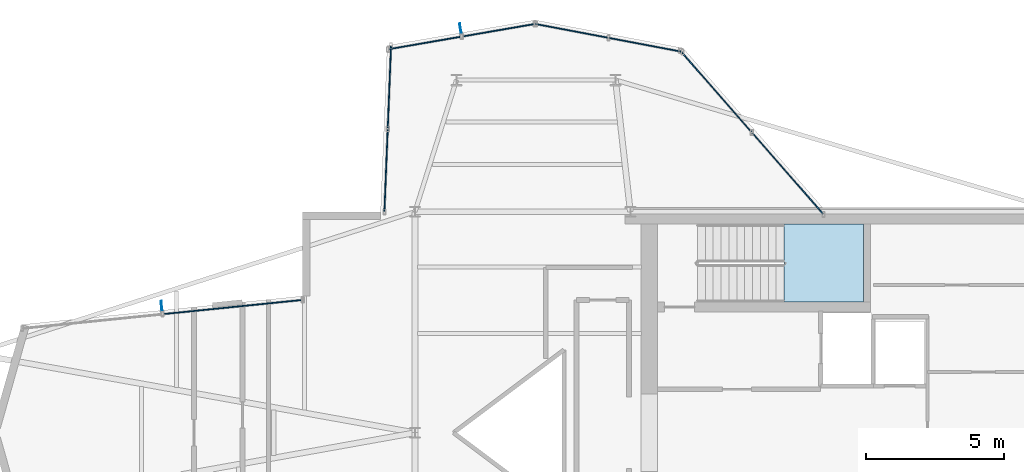
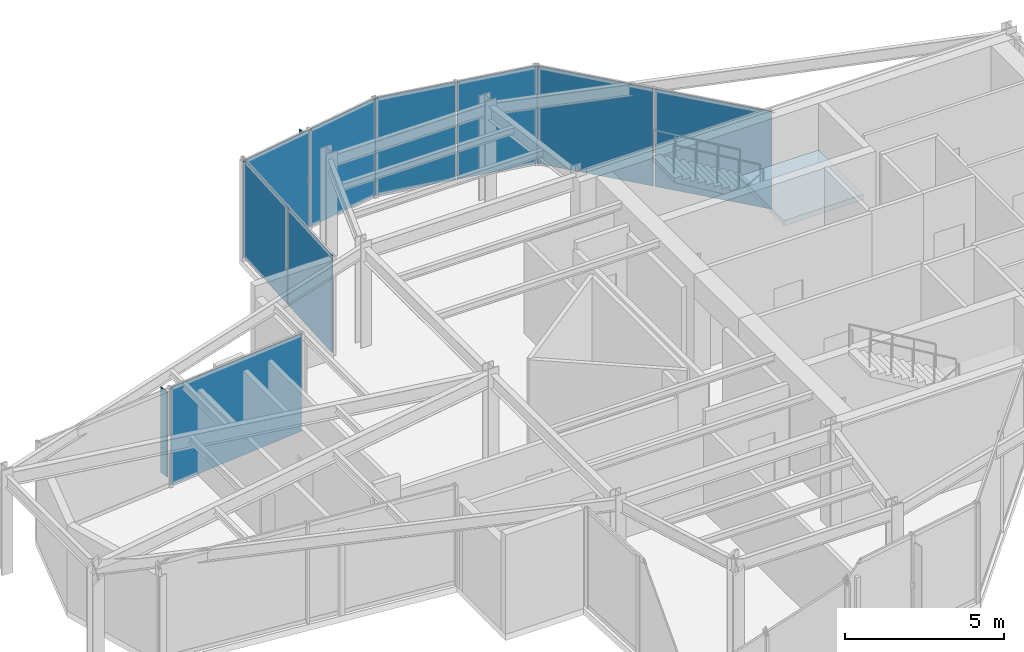
# One storey, part 11 of 15: 11 plates, 1 slab, 6 elements without a shape of their own.
"""IFC4 building model written with IfcOpenShell, lengths in metres."""

from ifc_helpers import new_model, si_unit, direction, frame, origin, origin_2d, place, context, subcontext, project, spatial, polyline, rectangle, outline, extrude, material, layer, layer_set, type_object, element, aggregate, save


model = new_model("IFC4")

# Units and contexts
model_context = context("Model", 3, precision=1e-05, world=origin(), true_north=direction((0.0, 1.0)))
body_context = subcontext(model_context, "Body", "Model", "MODEL_VIEW")
ifc_project = project(units=[si_unit("LENGTHUNIT", "METRE"), si_unit("AREAUNIT", "SQUARE_METRE"), si_unit("VOLUMEUNIT", "CUBIC_METRE"), si_unit("PLANEANGLEUNIT", "RADIAN"), si_unit("MASSUNIT", "GRAM", prefix="KILO")], contexts=[model_context])

# Site, building, storey
site_placement = place(None, origin())
site = spatial("IfcSite", under=ifc_project, at=site_placement, CompositionType="ELEMENT")
building_placement = place(site_placement, origin())
building = spatial("IfcBuilding", under=site, at=building_placement, Name="Veymaron Broadcast Tower", CompositionType="ELEMENT")
storey_placement = place(building_placement, frame((0.0, 0.0, 266.85009765625)))
storey = spatial("IfcBuildingStorey", under=building, at=storey_placement, Name="L62", CompositionType="ELEMENT", Elevation=266.85009765625)

# Curtain wall, plates
ifc_material_1 = material(Name="Anodised aluminium AA 6063-T6 and laminated low-E dark glass", Category="aluminium")
ifc_layer_1 = layer(ifc_material_1, 0.179931640625)
ifc_layer_set_1 = layer_set([ifc_layer_1], Name="Anodised aluminium AA 6063-T6 and laminated low-E dark glass")
curtain_wall_type = type_object("IfcCurtainWallType", Name="CW-SYS-06", PredefinedType="NOTDEFINED", material=ifc_layer_set_1)
curtain_wall_1_placement = place(storey_placement, origin())
curtain_wall_1 = element("IfcCurtainWall", 1, at=curtain_wall_1_placement, inside=storey, type_object=curtain_wall_type, Name="L62 dark-glass curtain wall CW-L62-E5-1", PredefinedType="NOTDEFINED")
ifc_material_2 = material(Name="Insulated dark-anodised aluminium spandrel panel 40 mm", Category="aluminium")
ifc_layer_2 = layer(ifc_material_2, 0.0400390625)
ifc_layer_set_2 = layer_set([ifc_layer_2], Name="Insulated dark-anodised aluminium spandrel panel 40 mm")
plate_type_1 = type_object("IfcPlateType", Name="CW-PNL-03", PredefinedType="CURTAIN_PANEL", material=ifc_layer_set_2)
plate_1_placement = place(storey_placement, frame((44.697509765625, 33.389892578125, 0.039794921875), z_axis=(0.0, 0.0, 1.0), x_axis=(-0.658558128912, 0.752529860433, 0.0)))
plate_1 = element("IfcPlate", 2, at=plate_1_placement, type_object=plate_type_1, Name="CW-L62-E5-1 unitised curtain panel 0", PredefinedType="CURTAIN_PANEL", context=body_context, shape_type="SweptSolid", body=[
    extrude(rectangle(XDim=3.87939453125, YDim=0.0400390625, at=origin_2d()), origin(), (0.0, 0.0, 1.0), 3.72998046875),
])
plate_2_placement = place(storey_placement, frame((42.10302734375, 36.3544921875, 0.039794921875), z_axis=(0.0, 0.0, 1.0), x_axis=(-0.658558128912, 0.752529860433, 0.0)))
plate_2 = element("IfcPlate", 3, at=plate_2_placement, type_object=plate_type_1, Name="CW-L62-E5-1 unitised curtain panel 1", PredefinedType="CURTAIN_PANEL", context=body_context, shape_type="SweptSolid", body=[
    extrude(rectangle(XDim=3.87939453125, YDim=0.0400390625, at=origin_2d()), origin(), (0.0, 0.0, 1.0), 3.72998046875),
])
aggregate(curtain_wall_1, [plate_1, plate_2])

curtain_wall_2_placement = place(storey_placement, origin())
curtain_wall_2 = element("IfcCurtainWall", 4, at=curtain_wall_2_placement, inside=storey, type_object=curtain_wall_type, Name="L62 dark-glass curtain wall CW-L62-E6-1", PredefinedType="NOTDEFINED")
plate_3_placement = place(storey_placement, frame((39.545654296875, 38.04541015625, 0.039794921875), z_axis=(0.0, 0.0, 1.0), x_axis=(-0.982479684732, 0.186369710761, 0.0)))
plate_3 = element("IfcPlate", 5, at=plate_3_placement, type_object=plate_type_1, Name="CW-L62-E6-1 unitised curtain panel 0", PredefinedType="CURTAIN_PANEL", context=body_context, shape_type="SweptSolid", body=[
    extrude(rectangle(XDim=2.6669921875, YDim=0.0400390625, at=origin_2d()), origin(), (0.0, 0.0, 1.0), 3.72998046875),
])
plate_4_placement = place(storey_placement, frame((36.86669921875, 38.5537109375, 0.039794921875), z_axis=(0.0, 0.0, 1.0), x_axis=(-0.982479684732, 0.186369710761, 0.0)))
plate_4 = element("IfcPlate", 6, at=plate_4_placement, type_object=plate_type_1, Name="CW-L62-E6-1 unitised curtain panel 1", PredefinedType="CURTAIN_PANEL", context=body_context, shape_type="SweptSolid", body=[
    extrude(rectangle(XDim=2.6669921875, YDim=0.0400390625, at=origin_2d()), origin(), (0.0, 0.0, 1.0), 3.72998046875),
])
aggregate(curtain_wall_2, [plate_3, plate_4])

curtain_wall_3_placement = place(storey_placement, origin())
curtain_wall_3 = element("IfcCurtainWall", 7, at=curtain_wall_3_placement, inside=storey, type_object=curtain_wall_type, Name="L62 dark-glass curtain wall CW-L62-E7-1", PredefinedType="NOTDEFINED")
plate_5_placement = place(storey_placement, frame((34.2373046875, 38.576171875, 0.039794921875), z_axis=(0.0, 0.0, 1.0), x_axis=(-0.98545539152, -0.169934314736, 0.0)))
plate_5 = element("IfcPlate", 8, at=plate_5_placement, type_object=plate_type_1, Name="CW-L62-E7-1 unitised curtain panel 0", PredefinedType="CURTAIN_PANEL", context=body_context, shape_type="SweptSolid", body=[
    extrude(rectangle(XDim=2.65869140625, YDim=0.0400390625, at=origin_2d()), origin(), (0.0, 0.0, 1.0), 3.72998046875),
])
plate_6_placement = place(storey_placement, frame((31.558349609375, 38.1142578125, 0.039794921875), z_axis=(0.0, 0.0, 1.0), x_axis=(-0.98545539152, -0.169934314736, 0.0)))
plate_6 = element("IfcPlate", 9, at=plate_6_placement, type_object=plate_type_1, Name="CW-L62-E7-1 unitised curtain panel 1", PredefinedType="CURTAIN_PANEL", context=body_context, shape_type="SweptSolid", body=[
    extrude(rectangle(XDim=2.65869140625, YDim=0.0400390625, at=origin_2d()), origin(), (0.0, 0.0, 1.0), 3.72998046875),
])
aggregate(curtain_wall_3, [plate_5, plate_6])

curtain_wall_4_placement = place(storey_placement, origin())
curtain_wall_4 = element("IfcCurtainWall", 10, at=curtain_wall_4_placement, inside=storey, type_object=curtain_wall_type, Name="L62 dark-glass curtain wall CW-L62-E8-1", PredefinedType="NOTDEFINED")
plate_7_placement = place(storey_placement, frame((30.274658203125, 36.51025390625, 0.039794921875), z_axis=(0.0, 0.0, 1.0), x_axis=(-0.04004459622, -0.999197893469, 0.0)))
plate_7 = element("IfcPlate", 11, at=plate_7_placement, type_object=plate_type_1, Name="CW-L62-E8-1 unitised curtain panel 0", PredefinedType="CURTAIN_PANEL", context=body_context, shape_type="SweptSolid", body=[
    extrude(rectangle(XDim=2.952880859375, YDim=0.0400390625, at=origin_2d()), origin(), (0.0, 0.0, 1.0), 3.72998046875),
])
plate_8_placement = place(storey_placement, frame((30.15380859375, 33.499755859375, 0.039794921875), z_axis=(0.0, 0.0, 1.0), x_axis=(-0.04004459622, -0.999197893469, 0.0)))
plate_8 = element("IfcPlate", 12, at=plate_8_placement, type_object=plate_type_1, Name="CW-L62-E8-1 unitised curtain panel 1", PredefinedType="CURTAIN_PANEL", context=body_context, shape_type="SweptSolid", body=[
    extrude(rectangle(XDim=2.952880859375, YDim=0.0400390625, at=origin_2d()), origin(), (0.0, 0.0, 1.0), 3.72998046875),
])
aggregate(curtain_wall_4, [plate_7, plate_8])

# Curtain wall, plate
curtain_wall_5_placement = place(storey_placement, origin())
curtain_wall_5 = element("IfcCurtainWall", 13, at=curtain_wall_5_placement, inside=storey, type_object=curtain_wall_type, Name="L62 dark-glass curtain wall CW-L62-E11-1", PredefinedType="NOTDEFINED")
plate_9_placement = place(storey_placement, frame((24.595458984375, 28.55126953125, 0.039794921875), z_axis=(0.0, 0.0, 1.0), x_axis=(-0.994870120783, -0.101160480293, 0.0)))
plate_9 = element("IfcPlate", 14, at=plate_9_placement, type_object=plate_type_1, Name="CW-L62-E11-1 unitised curtain panel 0", PredefinedType="CURTAIN_PANEL", context=body_context, shape_type="SweptSolid", body=[
    extrude(rectangle(XDim=5.047119140625, YDim=0.0400390625, at=origin_2d()), origin(), (0.0, 0.0, 1.0), 3.72998046875),
])
aggregate(curtain_wall_5, [plate_9])

# Plates
ifc_material_3 = material(Name="Dark-anodised aluminium AA 6061-T6", Category="aluminium")
ifc_layer_3 = layer(ifc_material_3, 0.030029296875)
ifc_layer_set_3 = layer_set([ifc_layer_3], Name="Dark-anodised aluminium AA 6061-T6")
plate_type_2 = type_object("IfcPlateType", Name="FIN-CHEV-02", PredefinedType="USERDEFINED", material=ifc_layer_set_3)
for number, where, z_axis, x_axis, name in (
    (15, (32.84619140625, 38.645751953125, 0.2666015625), (0.0, 0.0, 1.0), (-0.169934314736, 0.98545539152, 0.0), "CW-L62-E7-1 chevron fin 1"),
    (16, (22.024169921875, 28.59619140625, 0.2666015625), (0.0, 0.0, 1.0), (-0.101160480293, 0.994870120783, 0.0), "CW-L62-E11-1 chevron fin 1"),
):
    element("IfcPlate", number, at=place(storey_placement, frame(where, z_axis=z_axis, x_axis=x_axis)), inside=storey, type_object=plate_type_2, Name=name, ObjectType="FIN", PredefinedType="USERDEFINED", context=body_context, shape_type="SweptSolid", body=[
        extrude(rectangle(XDim=0.35009765625, YDim=0.034912109375, at=origin_2d()), origin(), (0.0, 0.0, 1.0), 3.276611328125),
    ])

# Stair, slab
ifc_material_4 = material(Name="Concrete C50/60", Category="concrete")
stair_type = type_object("IfcStairType", Name="STAIR-CORE-1", PredefinedType="HALF_TURN_STAIR", material=ifc_material_4)
stair_placement = place(storey_placement, origin())
stair = element("IfcStair", 17, at=stair_placement, inside=storey, type_object=stair_type, Name="L62 North protected dog-leg exit stair ST1", PredefinedType="HALF_TURN_STAIR")
ifc_layer_4 = layer(ifc_material_4, 0.199951171875)
ifc_layer_set_4 = layer_set([ifc_layer_4], Name="Concrete C50/60")
slab_type = type_object("IfcSlabType", Name="SLAB-STAIR-LDG", PredefinedType="LANDING", material=ifc_layer_set_4)
slab_placement = place(storey_placement, frame((0.0, 0.0, 1.824951171875)))
slab = element("IfcSlab", 18, at=slab_placement, type_object=slab_type, Name="ST1 landing 1", PredefinedType="LANDING", context=body_context, shape_type="SweptSolid", body=[
    extrude(outline(polyline([(44.56494140625, 28.72998046875), (47.43994140625, 28.72998046875), (47.43994140625, 31.550048828125), (44.56494140625, 31.550048828125), (44.56494140625, 28.72998046875)])), origin(), (0.0, 0.0, 1.0), 0.199951171875),
])
aggregate(stair, [slab])

save(model, "model.ifc")
